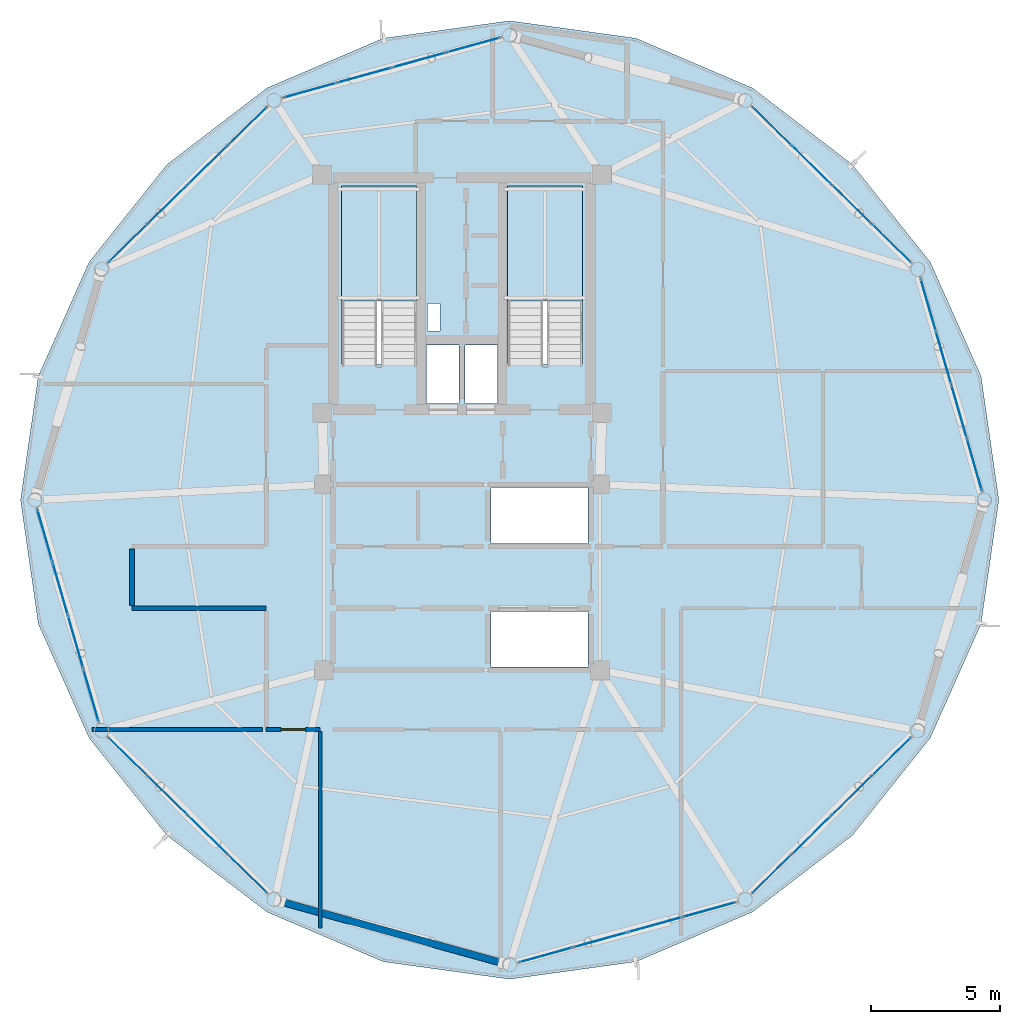
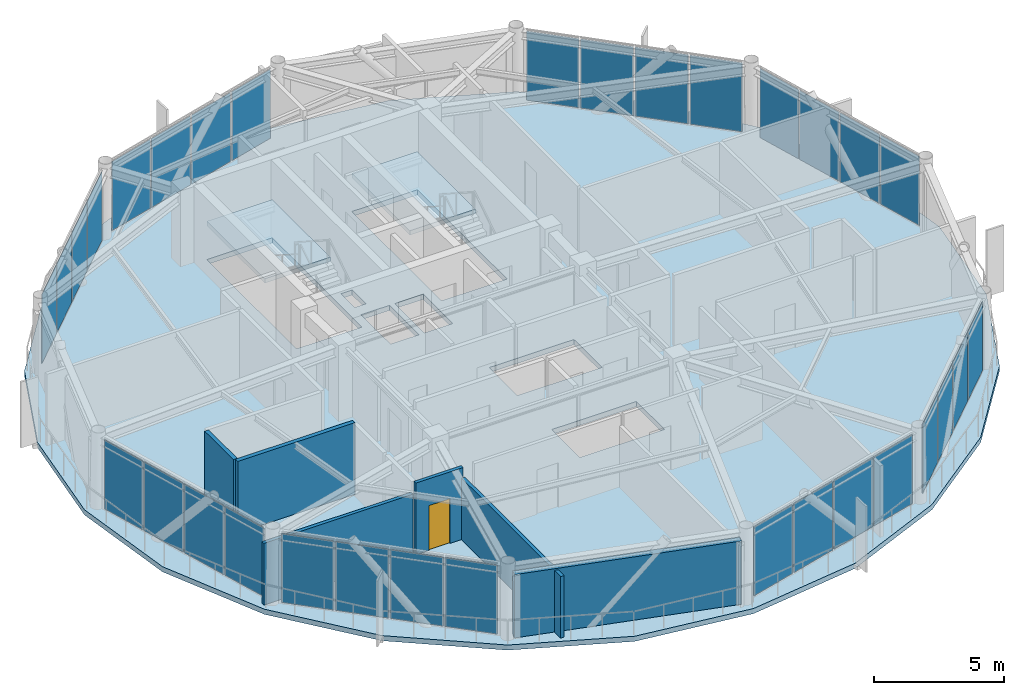
# One storey, part 19 of 25: 32 plates, 6 walls, 3 slabs, 1 door, 1 opening, 10 elements without a shape of their own.
"""IFC4 building model written with IfcOpenShell, lengths in metres."""

import ifcopenshell
import ifcopenshell.guid

model = None  # the IFC model being written
_history = None  # IfcOwnerHistory: only IFC2X3 demands one
_inside = {}  # id of a spatial element -> (the spatial element, [elements in it])
_under = {}  # id of a project, library or spatial element -> (it, [spatial elements below it])
_declared = {}  # id of a project -> (the project, [libraries it declares])
_typed = {}  # id of a type object -> (the type object, [elements of that type])
_made_of = {}  # id of a material, layer set ... -> (it, [elements and type objects made of it])


def new_model(schema):
    """Start an empty IFC model of exactly this schema.

    Asked for "IFC4X3", IfcOpenShell would pick the latest addendum, in which some entities
    have other attributes; the version numbers below select the first issue.
    IFC2X3 requires an IfcOwnerHistory on every rooted entity: one is made here for all.
    """
    global model, _history
    if schema == "IFC4X3":
        model = ifcopenshell.file(schema_version=(4, 3, 0, 0))
    else:
        model = ifcopenshell.file(schema=schema)
    _inside.clear()
    _under.clear()
    _declared.clear()
    _typed.clear()
    _made_of.clear()
    _history = None
    if model.schema == "IFC2X3":
        org = make("IfcOrganization", Name="unknown")
        user = make(
            "IfcPersonAndOrganization",
            ThePerson=make("IfcPerson", FamilyName="unknown"),
            TheOrganization=org,
        )
        app = make(
            "IfcApplication",
            ApplicationDeveloper=org,
            Version="unknown",
            ApplicationFullName="unknown",
            ApplicationIdentifier="unknown",
        )
        _history = make(
            "IfcOwnerHistory",
            OwningUser=user,
            OwningApplication=app,
            ChangeAction="ADDED",
            CreationDate=0,
        )
    return model


def make(cls, **values):
    """One entity of the class cls with the attributes given. An attribute that is None is left unset."""
    return model.create_entity(
        cls, **{name: value for name, value in values.items() if value is not None}
    )


def rooted(cls, **values):
    """An entity with a GlobalId (a new one), such as an element, a storey or a relation."""
    return make(cls, GlobalId=ifcopenshell.guid.new(), OwnerHistory=_history, **values)


def si_unit(unit_type, name, prefix=None):
    """IfcSIUnit, for example si_unit("LENGTHUNIT", "METRE", prefix="MILLI")."""
    return make("IfcSIUnit", UnitType=unit_type, Prefix=prefix, Name=name)


def assignment(units):
    """IfcUnitAssignment: the units of a project."""
    return None if units is None else make("IfcUnitAssignment", Units=units)


def point(xyz):
    """IfcCartesianPoint."""
    return None if xyz is None else make("IfcCartesianPoint", Coordinates=xyz)


def direction(xyz):
    """IfcDirection."""
    return None if xyz is None else make("IfcDirection", DirectionRatios=xyz)


def frame(location, z_axis=None, x_axis=None):
    """IfcAxis2Placement3D, a coordinate frame: its origin and axes. An axis left out is left unset."""
    return make(
        "IfcAxis2Placement3D",
        Location=point(location),
        Axis=direction(z_axis),
        RefDirection=direction(x_axis),
    )


def frame_2d(location, x_axis=None):
    """IfcAxis2Placement2D, a coordinate frame in the plane: its origin and x axis."""
    return make(
        "IfcAxis2Placement2D", Location=point(location), RefDirection=direction(x_axis)
    )


def origin():
    """The frame at (0, 0, 0) with its axes left unset."""
    return frame((0.0, 0.0, 0.0))


def origin_2d():
    """The frame at (0, 0) in the plane with its x axis left unset."""
    return frame_2d((0.0, 0.0))


def place(relative_to, where):
    """IfcLocalPlacement: puts the frame where relative to a parent placement (None: the world)."""
    return make(
        "IfcLocalPlacement", PlacementRelTo=relative_to, RelativePlacement=where
    )


def context(
    kind, dimensions, precision=None, world=None, true_north=None, identifier=None
):
    """IfcGeometricRepresentationContext, for example the 3D "Model" context."""
    return make(
        "IfcGeometricRepresentationContext",
        ContextIdentifier=identifier,
        ContextType=kind,
        CoordinateSpaceDimension=dimensions,
        Precision=precision,
        WorldCoordinateSystem=world,
        TrueNorth=true_north,
    )


def subcontext(parent, identifier, kind, view, scale=None):
    """IfcGeometricRepresentationSubContext, for example "Body" below "Model"."""
    return make(
        "IfcGeometricRepresentationSubContext",
        ContextIdentifier=identifier,
        ContextType=kind,
        ParentContext=parent,
        TargetScale=scale,
        TargetView=view,
    )


def project(units=None, contexts=None):
    """IfcProject with its units and contexts."""
    return rooted(
        "IfcProject",
        Name="project",
        RepresentationContexts=contexts,
        UnitsInContext=assignment(units),
    )


def spatial(cls, under=None, at=None, **own):
    """A site, building, storey or space (cls), placed at a placement, below another one or the project."""
    s = rooted(cls, ObjectPlacement=at, **own)
    if under is not None:
        _under.setdefault(under.id(), (under, []))[1].append(s)
    return s


def polyline(points):
    """IfcPolyline through the points."""
    return make("IfcPolyline", Points=[point(p) for p in points])


def profile(cls, at=None, kind="AREA", **sizes):
    """A parametric profile (cls). Its sizes go by their IFC names, for example OverallWidth=200.0."""
    return make(cls, ProfileType=kind, Position=at, **sizes)


def rectangle(**sizes):
    """IfcRectangleProfileDef."""
    return profile("IfcRectangleProfileDef", **sizes)


def outline(outer, holes=None, kind="AREA"):
    """IfcArbitraryClosedProfileDef: a profile drawn as a closed curve; with holes, ...WithVoids."""
    if holes is None:
        return make("IfcArbitraryClosedProfileDef", ProfileType=kind, OuterCurve=outer)
    return make(
        "IfcArbitraryProfileDefWithVoids",
        ProfileType=kind,
        OuterCurve=outer,
        InnerCurves=holes,
    )


def extrude(swept, where, along, depth):
    """IfcExtrudedAreaSolid: the profile swept, set in the frame where, extruded along a direction by depth."""
    return make(
        "IfcExtrudedAreaSolid",
        SweptArea=swept,
        Position=where,
        ExtrudedDirection=direction(along),
        Depth=depth,
    )


def shape(context_of_items, identifier, shape_type, items):
    """IfcShapeRepresentation: the items that make up one representation, for example the "Body"."""
    return make(
        "IfcShapeRepresentation",
        ContextOfItems=context_of_items,
        RepresentationIdentifier=identifier,
        RepresentationType=shape_type,
        Items=items,
    )


def source(mapping_origin, context_of_items, identifier, shape_type, items):
    """IfcRepresentationMap: a shape defined once, which mapped items show again and again."""
    return make(
        "IfcRepresentationMap",
        MappingOrigin=mapping_origin,
        MappedRepresentation=shape(context_of_items, identifier, shape_type, items),
    )


def transform(
    local_origin,
    x_axis=None,
    y_axis=None,
    z_axis=None,
    scale=None,
    scale2=None,
    scale3=None,
    uniform=True,
):
    """IfcCartesianTransformationOperator3D, or its non-uniform kind. x_axis, y_axis, z_axis: its Axis1, 2, 3."""
    if uniform:
        return make(
            "IfcCartesianTransformationOperator3D",
            Axis1=direction(x_axis),
            Axis2=direction(y_axis),
            LocalOrigin=point(local_origin),
            Scale=scale,
            Axis3=direction(z_axis),
        )
    return make(
        "IfcCartesianTransformationOperator3DnonUniform",
        Axis1=direction(x_axis),
        Axis2=direction(y_axis),
        LocalOrigin=point(local_origin),
        Scale=scale,
        Axis3=direction(z_axis),
        Scale2=scale2,
        Scale3=scale3,
    )


def mapped(mapping_source, mapping_target):
    """IfcMappedItem: shows the shape of a source again, moved by a transform."""
    return make(
        "IfcMappedItem", MappingSource=mapping_source, MappingTarget=mapping_target
    )


def material(Name=None, Category=None):
    """IfcMaterial."""
    return make("IfcMaterial", Name=Name, Category=Category)


def layer(
    of_material, thickness, ventilated=None, Name=None, Category=None, Priority=None
):
    """IfcMaterialLayer: one layer of a wall or slab, of a material (None: an air gap)."""
    return make(
        "IfcMaterialLayer",
        Material=of_material,
        LayerThickness=thickness,
        IsVentilated=ventilated,
        Name=Name,
        Category=Category,
        Priority=Priority,
    )


def layer_set(layers, Name=None):
    """IfcMaterialLayerSet."""
    return make("IfcMaterialLayerSet", MaterialLayers=layers, LayerSetName=Name)


def made_of(thing, what):
    """Note that an element or type object is made of a material, layer set ...; save() writes the relation."""
    if what is not None:
        _made_of.setdefault(what.id(), (what, []))[1].append(thing)
    return thing


def type_object(cls, material=None, **own):
    """A type object (cls), such as IfcWallType, which elements share."""
    return made_of(rooted(cls, **own), material)


def type_shapes(of_type, sources):
    """Give a type object the sources (RepresentationMaps) that its elements show as mapped items."""
    of_type.RepresentationMaps = sources


def element(
    cls,
    number,
    at=None,
    inside=None,
    cuts=None,
    type_object=None,
    material=None,
    context=None,
    identifier="Body",
    shape_type=None,
    held_by="IfcProductDefinitionShape",
    body=None,
    shapes=None,
    **own,
):
    """One element of the class cls, such as IfcWall. Its Tag is "e" and its number.

    at: its placement. inside: the storey or other place that contains it. cuts: it is an
    opening in that element (IfcRelVoidsElement). A single representation is given by context,
    identifier, shape_type and body (its items); several are given by shapes. held_by: the class
    of the entity that holds the representations. save() writes the other relations.
    """
    e = rooted(cls, Tag="e%d" % number, ObjectPlacement=at, **own)
    if body is not None:
        shapes = [shape(context, identifier, shape_type, body)]
    if shapes is not None:
        e.Representation = make(held_by, Representations=shapes)
    if inside is not None:
        _inside.setdefault(inside.id(), (inside, []))[1].append(e)
    if cuts is not None:
        rooted(
            "IfcRelVoidsElement", RelatingBuildingElement=cuts, RelatedOpeningElement=e
        )
    if type_object is not None:
        _typed.setdefault(type_object.id(), (type_object, []))[1].append(e)
    return made_of(e, material)


def fill(opening, filler):
    """IfcRelFillsElement: the door or window that sits in an opening."""
    return rooted(
        "IfcRelFillsElement",
        RelatingOpeningElement=opening,
        RelatedBuildingElement=filler,
    )


def aggregate(whole, parts):
    """IfcRelAggregates: a whole, such as a stair, and the parts it consists of."""
    return rooted("IfcRelAggregates", RelatingObject=whole, RelatedObjects=parts)


def save(model, path):
    """Write the relations noted so far, then the file.

    IfcRelAggregates (storeys below a building ...), IfcRelContainedInSpatialStructure (elements
    in a storey), IfcRelDefinesByType, IfcRelAssociatesMaterial and IfcRelDeclares: one each for
    every whole, place, type object, material and project.
    """
    for whole, parts in _under.values():
        aggregate(whole, parts)
    for where, things in _inside.values():
        rooted(
            "IfcRelContainedInSpatialStructure",
            RelatedElements=things,
            RelatingStructure=where,
        )
    for kind, things in _typed.values():
        rooted("IfcRelDefinesByType", RelatedObjects=things, RelatingType=kind)
    for what, things in _made_of.values():
        rooted("IfcRelAssociatesMaterial", RelatedObjects=things, RelatingMaterial=what)
    for by, libraries in _declared.values():
        rooted("IfcRelDeclares", RelatingContext=by, RelatedDefinitions=libraries)
    model.write(path)


model = new_model("IFC4")

# Units and contexts
model_context = context("Model", 3, precision=1e-05, world=origin(), true_north=direction((0.0, 1.0)))
body_context = subcontext(model_context, "Body", "Model", "MODEL_VIEW")
ifc_project = project(units=[si_unit("LENGTHUNIT", "METRE"), si_unit("AREAUNIT", "SQUARE_METRE"), si_unit("VOLUMEUNIT", "CUBIC_METRE"), si_unit("PLANEANGLEUNIT", "RADIAN"), si_unit("MASSUNIT", "GRAM", prefix="KILO")], contexts=[model_context])

# Site, building, storey
site_placement = place(None, origin())
site = spatial("IfcSite", under=ifc_project, at=site_placement, CompositionType="ELEMENT")
building_placement = place(site_placement, origin())
building = spatial("IfcBuilding", under=site, at=building_placement, Name="Varnakorn Sky Granary", CompositionType="ELEMENT")
storey_placement = place(building_placement, frame((0.0, 0.0, 252.60009765625)))
storey = spatial("IfcBuildingStorey", under=building, at=storey_placement, Name="L64", CompositionType="ELEMENT", Elevation=252.60009765625)

# Stair, slab
ifc_material_1 = material(Name="Concrete C40/50", Category="concrete")
stair_type = type_object("IfcStairType", Name="ST-MAIN-ASSEMBLY", PredefinedType="HALF_TURN_STAIR", material=ifc_material_1)
stair_1_placement = place(storey_placement, origin())
stair_1 = element("IfcStair", 1, at=stair_1_placement, inside=storey, type_object=stair_type, Name="L64 Protected Exit Stair ST-1", PredefinedType="HALF_TURN_STAIR")
ifc_layer_1 = layer(ifc_material_1, 0.199951171875, Name="Concrete C40/50")
ifc_layer_set_1 = layer_set([ifc_layer_1], Name="Concrete C40/50")
slab_type_1 = type_object("IfcSlabType", Name="ST-MAIN-LAND", PredefinedType="LANDING", material=ifc_layer_set_1)
slab_1_placement = place(storey_placement, frame((0.0, 0.0, 1.599853515625)))
slab_1 = element("IfcSlab", 2, at=slab_1_placement, type_object=slab_type_1, Name="ST-1 landing 1", PredefinedType="LANDING", context=body_context, shape_type="SweptSolid", body=[
    extrude(outline(polyline([(1.239990234375, 7.719970703125), (1.239990234375, 12.179931640625), (-1.669921875, 12.179931640625), (-1.669921875, 7.719970703125), (1.239990234375, 7.719970703125)])), origin(), (0.0, 0.0, 1.0), 0.199951171875),
])
aggregate(stair_1, [slab_1])

stair_2_placement = place(storey_placement, origin())
stair_2 = element("IfcStair", 3, at=stair_2_placement, inside=storey, type_object=stair_type, Name="L64 Protected Exit Stair ST-2", PredefinedType="HALF_TURN_STAIR")
slab_2_placement = place(storey_placement, frame((0.0, 0.0, 1.599853515625)))
slab_2 = element("IfcSlab", 4, at=slab_2_placement, type_object=slab_type_1, Name="ST-2 landing 1", PredefinedType="LANDING", context=body_context, shape_type="SweptSolid", body=[
    extrude(outline(polyline([(7.679931640625, 7.719970703125), (7.679931640625, 12.179931640625), (4.77001953125, 12.179931640625), (4.77001953125, 7.719970703125), (7.679931640625, 7.719970703125)])), origin(), (0.0, 0.0, 1.0), 0.199951171875),
])
aggregate(stair_2, [slab_2])

# Slab
ifc_material_2 = material(Name="Concrete C50/60", Category="concrete")
ifc_layer_2 = layer(ifc_material_2, 0.239990234375, Name="Concrete C50/60")
ifc_layer_set_2 = layer_set([ifc_layer_2], Name="Concrete C50/60")
slab_type_2 = type_object("IfcSlabType", Name="ST-SL-TWR-240", PredefinedType="FLOOR", material=ifc_layer_set_2)
slab_3_placement = place(storey_placement, frame((0.0, 0.0, -0.239990234375)))
element("IfcSlab", 5, at=slab_3_placement, inside=storey, type_object=slab_type_2, Name="Level L64 Structural Floor Slab", PredefinedType="FLOOR", context=body_context, shape_type="SweptSolid", body=[
    extrude(outline(polyline([(23.826904296875, 0.0), (23.136962890625, 4.799560546875), (21.167724609375, 9.22705078125), (18.1416015625, 13.01708984375), (14.27099609375, 15.981689453125), (9.75, 17.912109375), (4.85009765625, 18.589111328125), (-0.050048828125, 17.912109375), (-4.571044921875, 15.981689453125), (-8.44140625, 13.01708984375), (-11.4677734375, 9.22705078125), (-13.43701171875, 4.799560546875), (-14.126953125, 0.0), (-13.43701171875, -4.799560546875), (-11.4677734375, -9.22705078125), (-8.44140625, -13.01708984375), (-4.571044921875, -15.981689453125), (-0.050048828125, -17.912109375), (4.85009765625, -18.589111328125), (9.75, -17.912109375), (14.27099609375, -15.981689453125), (18.1416015625, -13.01708984375), (21.167724609375, -9.22705078125), (23.136962890625, -4.799560546875), (23.826904296875, 0.0)]), holes=[polyline([(1.239990234375, 5.27490234375), (1.239990234375, 12.179931640625), (-1.669921875, 12.179931640625), (-1.669921875, 5.27490234375), (1.239990234375, 5.27490234375)]), polyline([(7.679931640625, 5.27490234375), (7.679931640625, 12.179931640625), (4.77001953125, 12.179931640625), (4.77001953125, 5.27490234375), (7.679931640625, 5.27490234375)]), polyline([(1.659912109375, 6.550048828125), (2.14990234375, 6.550048828125), (2.14990234375, 7.6201171875), (1.659912109375, 7.6201171875), (1.659912109375, 6.550048828125)]), polyline([(1.6201171875, 3.739990234375), (2.8798828125, 3.739990234375), (2.8798828125, 6.010009765625), (1.6201171875, 6.010009765625), (1.6201171875, 3.739990234375)]), polyline([(3.1201171875, 3.739990234375), (4.3798828125, 3.739990234375), (4.3798828125, 6.010009765625), (3.1201171875, 6.010009765625), (3.1201171875, 3.739990234375)]), polyline([(4.1201171875, -1.679931640625), (7.8798828125, -1.679931640625), (7.8798828125, 0.47998046875), (4.1201171875, 0.47998046875), (4.1201171875, -1.679931640625)]), polyline([(4.1201171875, -6.47998046875), (7.8798828125, -6.47998046875), (7.8798828125, -4.320068359375), (4.1201171875, -4.320068359375), (4.1201171875, -6.47998046875)])]), origin(), (0.0, 0.0, 1.0), 0.239990234375),
])

# Curtain wall, plates
ifc_material_3 = material(Name="Anodised Bronze Aluminium Alloy 6063-T6", Category="aluminium")
ifc_layer_3 = layer(ifc_material_3, 0.159912109375, Name="Anodised Bronze Aluminium Alloy 6063-T6")
ifc_layer_set_3 = layer_set([ifc_layer_3], Name="Anodised Bronze Aluminium Alloy 6063-T6")
curtain_wall_type = type_object("IfcCurtainWallType", Name="CW-OFF-1", PredefinedType="USERDEFINED", material=ifc_layer_set_3)
curtain_wall_1_placement = place(storey_placement, origin())
curtain_wall_1 = element("IfcCurtainWall", 6, at=curtain_wall_1_placement, inside=storey, type_object=curtain_wall_type, Name="Unitised Curtain Wall CW6 CW-L64-B01", ObjectType="CURTAIN WALL", PredefinedType="USERDEFINED")
ifc_material_4 = material(Name="Low-E Tinted Laminated Glass", Category="glass")
ifc_layer_4 = layer(ifc_material_4, 0.02392578125, Name="Low-E Tinted Laminated Glass")
ifc_layer_set_4 = layer_set([ifc_layer_4], Name="Low-E Tinted Laminated Glass")
plate_type = type_object("IfcPlateType", Name="CW-OFF-1-PNL", PredefinedType="CURTAIN_PANEL")
shared_shape_1 = source(origin(), body_context, "Body", "SweptSolid", [
    extrude(rectangle(XDim=2.062255859375, YDim=0.02392578125, at=origin_2d()), origin(), (0.0, 0.0, 1.0), 3.22998046875),
])
plate_1_placement = place(storey_placement, frame((21.089599609375, 7.57275390625, 0.06494140625), z_axis=(0.0, 0.0, 1.0), x_axis=(0.277500953082, -0.960725361921, 0.0)))
plate_1 = element("IfcPlate", 7, at=plate_1_placement, type_object=plate_type, material=ifc_layer_set_4, Name="CW6 vision glazing unit 1.1", PredefinedType="CURTAIN_PANEL", context=body_context, shape_type="MappedRepresentation", body=[
    mapped(shared_shape_1, transform((0.0, 0.0, 0.0), x_axis=(1.0, 0.0, 0.0), y_axis=(0.0, 1.0, 0.0), z_axis=(0.0, 0.0, 1.0), scale=1.0)),
])
plate_2_placement = place(storey_placement, frame((22.878662109375, 1.379150390625, 0.06494140625), z_axis=(0.0, 0.0, 1.0), x_axis=(0.277500953082, -0.960725361921, 0.0)))
plate_2 = element("IfcPlate", 8, at=plate_2_placement, type_object=plate_type, material=ifc_layer_set_4, Name="CW6 vision glazing unit 4.1", PredefinedType="CURTAIN_PANEL", context=body_context, shape_type="MappedRepresentation", body=[
    mapped(shared_shape_1, transform((0.0, 0.0, 0.0), x_axis=(1.0, 0.0, 0.0), y_axis=(0.0, 1.0, 0.0), z_axis=(0.0, 0.0, 1.0), scale=1.0)),
])

curtain_wall_2_placement = place(storey_placement, origin())
curtain_wall_2 = element("IfcCurtainWall", 9, at=curtain_wall_2_placement, inside=storey, type_object=curtain_wall_type, Name="Unitised Curtain Wall CW6 CW-L64-B07", ObjectType="CURTAIN WALL", PredefinedType="USERDEFINED")
plate_3_placement = place(storey_placement, frame((-11.3896484375, -7.57275390625, 0.06494140625), z_axis=(0.0, 0.0, 1.0), x_axis=(-0.277500953082, 0.960725361921, 0.0)))
plate_3 = element("IfcPlate", 10, at=plate_3_placement, type_object=plate_type, material=ifc_layer_set_4, Name="CW6 vision glazing unit 1.1", PredefinedType="CURTAIN_PANEL", context=body_context, shape_type="MappedRepresentation", body=[
    mapped(shared_shape_1, transform((0.0, 0.0, 0.0), x_axis=(1.0, 0.0, 0.0), y_axis=(0.0, 1.0, 0.0), z_axis=(0.0, 0.0, 1.0), scale=1.0)),
])
plate_4_placement = place(storey_placement, frame((-13.1787109375, -1.379150390625, 0.06494140625), z_axis=(0.0, 0.0, 1.0), x_axis=(-0.277500953082, 0.960725361921, 0.0)))
plate_4 = element("IfcPlate", 11, at=plate_4_placement, type_object=plate_type, material=ifc_layer_set_4, Name="CW6 vision glazing unit 4.1", PredefinedType="CURTAIN_PANEL", context=body_context, shape_type="MappedRepresentation", body=[
    mapped(shared_shape_1, transform((0.0, 0.0, 0.0), x_axis=(1.0, 0.0, 0.0), y_axis=(0.0, 1.0, 0.0), z_axis=(0.0, 0.0, 1.0), scale=1.0)),
])

# Plate
ifc_material_5 = material(Name="Opaque Insulated Aluminium Shadow-Box Unit", Category="aluminium")
ifc_layer_5 = layer(ifc_material_5, 0.02392578125, Name="Opaque Insulated Aluminium Shadow-Box Unit")
ifc_layer_set_5 = layer_set([ifc_layer_5], Name="Opaque Insulated Aluminium Shadow-Box Unit")
shared_shape_2 = source(origin(), body_context, "Body", "SweptSolid", [
    extrude(rectangle(XDim=2.0947265625, YDim=0.02392578125, at=origin_2d()), origin(), (0.0, 0.0, 1.0), 3.22998046875),
])
plate_5_placement = place(storey_placement, frame((21.6845703125, 5.513427734375, 0.06494140625), z_axis=(0.0, 0.0, 1.0), x_axis=(0.277500953082, -0.960725361921, 0.0)))
plate_5 = element("IfcPlate", 12, at=plate_5_placement, type_object=plate_type, material=ifc_layer_set_5, Name="CW6 opaque insulated shadow-box unit 2.1", PredefinedType="CURTAIN_PANEL", context=body_context, shape_type="MappedRepresentation", body=[
    mapped(shared_shape_2, transform((0.0, 0.0, 0.0), x_axis=(1.0, 0.0, 0.0), y_axis=(0.0, 1.0, 0.0), z_axis=(0.0, 0.0, 1.0), scale=1.0)),
])

plate_6_placement = place(storey_placement, frame((22.28369140625, 3.4384765625, 0.06494140625), z_axis=(0.0, 0.0, 1.0), x_axis=(0.277500953082, -0.960725361921, 0.0)))
plate_6 = element("IfcPlate", 13, at=plate_6_placement, type_object=plate_type, material=ifc_layer_set_5, Name="CW6 opaque insulated shadow-box unit 3.1", PredefinedType="CURTAIN_PANEL", context=body_context, shape_type="MappedRepresentation", body=[
    mapped(shared_shape_2, transform((0.0, 0.0, 0.0), x_axis=(1.0, 0.0, 0.0), y_axis=(0.0, 1.0, 0.0), z_axis=(0.0, 0.0, 1.0), scale=1.0)),
])

aggregate(curtain_wall_1, [plate_1, plate_5, plate_6, plate_2])

plate_7_placement = place(storey_placement, frame((-11.984375, -5.513427734375, 0.06494140625), z_axis=(0.0, 0.0, 1.0), x_axis=(-0.277500953082, 0.960725361921, 0.0)))
plate_7 = element("IfcPlate", 14, at=plate_7_placement, type_object=plate_type, material=ifc_layer_set_5, Name="CW6 opaque insulated shadow-box unit 2.1", PredefinedType="CURTAIN_PANEL", context=body_context, shape_type="MappedRepresentation", body=[
    mapped(shared_shape_2, transform((0.0, 0.0, 0.0), x_axis=(1.0, 0.0, 0.0), y_axis=(0.0, 1.0, 0.0), z_axis=(0.0, 0.0, 1.0), scale=1.0)),
])

plate_8_placement = place(storey_placement, frame((-12.583740234375, -3.4384765625, 0.06494140625), z_axis=(0.0, 0.0, 1.0), x_axis=(-0.277500953082, 0.960725361921, 0.0)))
plate_8 = element("IfcPlate", 15, at=plate_8_placement, type_object=plate_type, material=ifc_layer_set_5, Name="CW6 opaque insulated shadow-box unit 3.1", PredefinedType="CURTAIN_PANEL", context=body_context, shape_type="MappedRepresentation", body=[
    mapped(shared_shape_2, transform((0.0, 0.0, 0.0), x_axis=(1.0, 0.0, 0.0), y_axis=(0.0, 1.0, 0.0), z_axis=(0.0, 0.0, 1.0), scale=1.0)),
])

aggregate(curtain_wall_2, [plate_3, plate_7, plate_8, plate_4])

# Curtain wall, plates
curtain_wall_3_placement = place(storey_placement, origin())
curtain_wall_3 = element("IfcCurtainWall", 16, at=curtain_wall_3_placement, inside=storey, type_object=curtain_wall_type, Name="Unitised Curtain Wall CW6 CW-L64-B02", ObjectType="CURTAIN WALL", PredefinedType="USERDEFINED")
shared_shape_3 = source(origin(), body_context, "Body", "SweptSolid", [
    extrude(rectangle(XDim=2.074951171875, YDim=0.02392578125, at=origin_2d()), origin(), (0.0, 0.0, 1.0), 3.22998046875),
])
plate_9_placement = place(storey_placement, frame((15.0263671875, 14.49658203125, 0.06494140625), z_axis=(0.0, 0.0, 1.0), x_axis=(0.71464979439, -0.699482431072, 0.0)))
plate_9 = element("IfcPlate", 17, at=plate_9_placement, type_object=plate_type, material=ifc_layer_set_4, Name="CW6 vision glazing unit 1.1", PredefinedType="CURTAIN_PANEL", context=body_context, shape_type="MappedRepresentation", body=[
    mapped(shared_shape_3, transform((0.0, 0.0, 0.0), x_axis=(1.0, 0.0, 0.0), y_axis=(0.0, 1.0, 0.0), z_axis=(0.0, 0.0, 1.0), scale=1.0)),
])
plate_10_placement = place(storey_placement, frame((19.660888671875, 9.960693359375, 0.06494140625), z_axis=(0.0, 0.0, 1.0), x_axis=(0.71464979439, -0.699482431072, 0.0)))
plate_10 = element("IfcPlate", 18, at=plate_10_placement, type_object=plate_type, material=ifc_layer_set_4, Name="CW6 vision glazing unit 4.1", PredefinedType="CURTAIN_PANEL", context=body_context, shape_type="MappedRepresentation", body=[
    mapped(shared_shape_3, transform((0.0, 0.0, 0.0), x_axis=(1.0, 0.0, 0.0), y_axis=(0.0, 1.0, 0.0), z_axis=(0.0, 0.0, 1.0), scale=1.0)),
])

curtain_wall_4_placement = place(storey_placement, origin())
curtain_wall_4 = element("IfcCurtainWall", 19, at=curtain_wall_4_placement, inside=storey, type_object=curtain_wall_type, Name="Unitised Curtain Wall CW6 CW-L64-B05", ObjectType="CURTAIN WALL", PredefinedType="USERDEFINED")
plate_11_placement = place(storey_placement, frame((-9.9609375, 9.960693359375, 0.06494140625), z_axis=(0.0, 0.0, 1.0), x_axis=(0.71464979439, 0.699482431072, 0.0)))
plate_11 = element("IfcPlate", 20, at=plate_11_placement, type_object=plate_type, material=ifc_layer_set_4, Name="CW6 vision glazing unit 1.1", PredefinedType="CURTAIN_PANEL", context=body_context, shape_type="MappedRepresentation", body=[
    mapped(shared_shape_3, transform((0.0, 0.0, 0.0), x_axis=(1.0, 0.0, 0.0), y_axis=(0.0, 1.0, 0.0), z_axis=(0.0, 0.0, 1.0), scale=1.0)),
])
plate_12_placement = place(storey_placement, frame((-5.326416015625, 14.49658203125, 0.06494140625), z_axis=(0.0, 0.0, 1.0), x_axis=(0.71464979439, 0.699482431072, 0.0)))
plate_12 = element("IfcPlate", 21, at=plate_12_placement, type_object=plate_type, material=ifc_layer_set_4, Name="CW6 vision glazing unit 4.1", PredefinedType="CURTAIN_PANEL", context=body_context, shape_type="MappedRepresentation", body=[
    mapped(shared_shape_3, transform((0.0, 0.0, 0.0), x_axis=(1.0, 0.0, 0.0), y_axis=(0.0, 1.0, 0.0), z_axis=(0.0, 0.0, 1.0), scale=1.0)),
])

curtain_wall_5_placement = place(storey_placement, origin())
curtain_wall_5 = element("IfcCurtainWall", 22, at=curtain_wall_5_placement, inside=storey, type_object=curtain_wall_type, Name="Unitised Curtain Wall CW6 CW-L64-B08", ObjectType="CURTAIN WALL", PredefinedType="USERDEFINED")
plate_13_placement = place(storey_placement, frame((-5.326416015625, -14.49658203125, 0.06494140625), z_axis=(0.0, 0.0, 1.0), x_axis=(-0.71464979439, 0.699482431072, 0.0)))
plate_13 = element("IfcPlate", 23, at=plate_13_placement, type_object=plate_type, material=ifc_layer_set_4, Name="CW6 vision glazing unit 1.1", PredefinedType="CURTAIN_PANEL", context=body_context, shape_type="MappedRepresentation", body=[
    mapped(shared_shape_3, transform((0.0, 0.0, 0.0), x_axis=(1.0, 0.0, 0.0), y_axis=(0.0, 1.0, 0.0), z_axis=(0.0, 0.0, 1.0), scale=1.0)),
])
plate_14_placement = place(storey_placement, frame((-9.9609375, -9.960693359375, 0.06494140625), z_axis=(0.0, 0.0, 1.0), x_axis=(-0.71464979439, 0.699482431072, 0.0)))
plate_14 = element("IfcPlate", 24, at=plate_14_placement, type_object=plate_type, material=ifc_layer_set_4, Name="CW6 vision glazing unit 4.1", PredefinedType="CURTAIN_PANEL", context=body_context, shape_type="MappedRepresentation", body=[
    mapped(shared_shape_3, transform((0.0, 0.0, 0.0), x_axis=(1.0, 0.0, 0.0), y_axis=(0.0, 1.0, 0.0), z_axis=(0.0, 0.0, 1.0), scale=1.0)),
])

curtain_wall_6_placement = place(storey_placement, origin())
curtain_wall_6 = element("IfcCurtainWall", 25, at=curtain_wall_6_placement, inside=storey, type_object=curtain_wall_type, Name="Unitised Curtain Wall CW6 CW-L64-B11", ObjectType="CURTAIN WALL", PredefinedType="USERDEFINED")
plate_15_placement = place(storey_placement, frame((19.660888671875, -9.960693359375, 0.06494140625), z_axis=(0.0, 0.0, 1.0), x_axis=(-0.71464979439, -0.699482431072, 0.0)))
plate_15 = element("IfcPlate", 26, at=plate_15_placement, type_object=plate_type, material=ifc_layer_set_4, Name="CW6 vision glazing unit 1.1", PredefinedType="CURTAIN_PANEL", context=body_context, shape_type="MappedRepresentation", body=[
    mapped(shared_shape_3, transform((0.0, 0.0, 0.0), x_axis=(1.0, 0.0, 0.0), y_axis=(0.0, 1.0, 0.0), z_axis=(0.0, 0.0, 1.0), scale=1.0)),
])
plate_16_placement = place(storey_placement, frame((15.0263671875, -14.49658203125, 0.06494140625), z_axis=(0.0, 0.0, 1.0), x_axis=(-0.71464979439, -0.699482431072, 0.0)))
plate_16 = element("IfcPlate", 27, at=plate_16_placement, type_object=plate_type, material=ifc_layer_set_4, Name="CW6 vision glazing unit 4.1", PredefinedType="CURTAIN_PANEL", context=body_context, shape_type="MappedRepresentation", body=[
    mapped(shared_shape_3, transform((0.0, 0.0, 0.0), x_axis=(1.0, 0.0, 0.0), y_axis=(0.0, 1.0, 0.0), z_axis=(0.0, 0.0, 1.0), scale=1.0)),
])

# Plate
shared_shape_4 = source(origin(), body_context, "Body", "SweptSolid", [
    extrude(rectangle(XDim=2.107421875, YDim=0.02392578125, at=origin_2d()), origin(), (0.0, 0.0, 1.0), 3.22998046875),
])
plate_17_placement = place(storey_placement, frame((16.5673828125, 12.988525390625, 0.06494140625), z_axis=(0.0, 0.0, 1.0), x_axis=(0.71464979439, -0.699482431072, 0.0)))
plate_17 = element("IfcPlate", 28, at=plate_17_placement, type_object=plate_type, material=ifc_layer_set_5, Name="CW6 opaque insulated shadow-box unit 2.1", PredefinedType="CURTAIN_PANEL", context=body_context, shape_type="MappedRepresentation", body=[
    mapped(shared_shape_4, transform((0.0, 0.0, 0.0), x_axis=(1.0, 0.0, 0.0), y_axis=(0.0, 1.0, 0.0), z_axis=(0.0, 0.0, 1.0), scale=1.0)),
])

plate_18_placement = place(storey_placement, frame((18.119873046875, 11.46875, 0.06494140625), z_axis=(0.0, 0.0, 1.0), x_axis=(0.71464979439, -0.699482431072, 0.0)))
plate_18 = element("IfcPlate", 29, at=plate_18_placement, type_object=plate_type, material=ifc_layer_set_5, Name="CW6 opaque insulated shadow-box unit 3.1", PredefinedType="CURTAIN_PANEL", context=body_context, shape_type="MappedRepresentation", body=[
    mapped(shared_shape_4, transform((0.0, 0.0, 0.0), x_axis=(1.0, 0.0, 0.0), y_axis=(0.0, 1.0, 0.0), z_axis=(0.0, 0.0, 1.0), scale=1.0)),
])

aggregate(curtain_wall_3, [plate_9, plate_17, plate_18, plate_10])

plate_19_placement = place(storey_placement, frame((-8.419921875, 11.46875, 0.06494140625), z_axis=(0.0, 0.0, 1.0), x_axis=(0.71464979439, 0.699482431072, 0.0)))
plate_19 = element("IfcPlate", 30, at=plate_19_placement, type_object=plate_type, material=ifc_layer_set_5, Name="CW6 opaque insulated shadow-box unit 2.1", PredefinedType="CURTAIN_PANEL", context=body_context, shape_type="MappedRepresentation", body=[
    mapped(shared_shape_4, transform((0.0, 0.0, 0.0), x_axis=(1.0, 0.0, 0.0), y_axis=(0.0, 1.0, 0.0), z_axis=(0.0, 0.0, 1.0), scale=1.0)),
])

plate_20_placement = place(storey_placement, frame((-6.867431640625, 12.988525390625, 0.06494140625), z_axis=(0.0, 0.0, 1.0), x_axis=(0.71464979439, 0.699482431072, 0.0)))
plate_20 = element("IfcPlate", 31, at=plate_20_placement, type_object=plate_type, material=ifc_layer_set_5, Name="CW6 opaque insulated shadow-box unit 3.1", PredefinedType="CURTAIN_PANEL", context=body_context, shape_type="MappedRepresentation", body=[
    mapped(shared_shape_4, transform((0.0, 0.0, 0.0), x_axis=(1.0, 0.0, 0.0), y_axis=(0.0, 1.0, 0.0), z_axis=(0.0, 0.0, 1.0), scale=1.0)),
])

aggregate(curtain_wall_4, [plate_11, plate_19, plate_20, plate_12])

plate_21_placement = place(storey_placement, frame((-6.867431640625, -12.988525390625, 0.06494140625), z_axis=(0.0, 0.0, 1.0), x_axis=(-0.71464979439, 0.699482431072, 0.0)))
plate_21 = element("IfcPlate", 32, at=plate_21_placement, type_object=plate_type, material=ifc_layer_set_5, Name="CW6 opaque insulated shadow-box unit 2.1", PredefinedType="CURTAIN_PANEL", context=body_context, shape_type="MappedRepresentation", body=[
    mapped(shared_shape_4, transform((0.0, 0.0, 0.0), x_axis=(1.0, 0.0, 0.0), y_axis=(0.0, 1.0, 0.0), z_axis=(0.0, 0.0, 1.0), scale=1.0)),
])

plate_22_placement = place(storey_placement, frame((-8.419921875, -11.46875, 0.06494140625), z_axis=(0.0, 0.0, 1.0), x_axis=(-0.71464979439, 0.699482431072, 0.0)))
plate_22 = element("IfcPlate", 33, at=plate_22_placement, type_object=plate_type, material=ifc_layer_set_5, Name="CW6 opaque insulated shadow-box unit 3.1", PredefinedType="CURTAIN_PANEL", context=body_context, shape_type="MappedRepresentation", body=[
    mapped(shared_shape_4, transform((0.0, 0.0, 0.0), x_axis=(1.0, 0.0, 0.0), y_axis=(0.0, 1.0, 0.0), z_axis=(0.0, 0.0, 1.0), scale=1.0)),
])

aggregate(curtain_wall_5, [plate_13, plate_21, plate_22, plate_14])

plate_23_placement = place(storey_placement, frame((18.119873046875, -11.46875, 0.06494140625), z_axis=(0.0, 0.0, 1.0), x_axis=(-0.71464979439, -0.699482431072, 0.0)))
plate_23 = element("IfcPlate", 34, at=plate_23_placement, type_object=plate_type, material=ifc_layer_set_5, Name="CW6 opaque insulated shadow-box unit 2.1", PredefinedType="CURTAIN_PANEL", context=body_context, shape_type="MappedRepresentation", body=[
    mapped(shared_shape_4, transform((0.0, 0.0, 0.0), x_axis=(1.0, 0.0, 0.0), y_axis=(0.0, 1.0, 0.0), z_axis=(0.0, 0.0, 1.0), scale=1.0)),
])

plate_24_placement = place(storey_placement, frame((16.5673828125, -12.988525390625, 0.06494140625), z_axis=(0.0, 0.0, 1.0), x_axis=(-0.71464979439, -0.699482431072, 0.0)))
plate_24 = element("IfcPlate", 35, at=plate_24_placement, type_object=plate_type, material=ifc_layer_set_5, Name="CW6 opaque insulated shadow-box unit 3.1", PredefinedType="CURTAIN_PANEL", context=body_context, shape_type="MappedRepresentation", body=[
    mapped(shared_shape_4, transform((0.0, 0.0, 0.0), x_axis=(1.0, 0.0, 0.0), y_axis=(0.0, 1.0, 0.0), z_axis=(0.0, 0.0, 1.0), scale=1.0)),
])

aggregate(curtain_wall_6, [plate_15, plate_23, plate_24, plate_16])

# Curtain wall, plates
curtain_wall_7_placement = place(storey_placement, origin())
curtain_wall_7 = element("IfcCurtainWall", 36, at=curtain_wall_7_placement, inside=storey, type_object=curtain_wall_type, Name="Unitised Curtain Wall CW6 CW-L64-B04", ObjectType="CURTAIN WALL", PredefinedType="USERDEFINED")
shared_shape_5 = source(origin(), body_context, "Body", "SweptSolid", [
    extrude(rectangle(XDim=2.10546875, YDim=0.02392578125, at=origin_2d()), origin(), (0.0, 0.0, 1.0), 3.22998046875),
])
plate_25_placement = place(storey_placement, frame((-2.8916015625, 15.894287109375, 0.06494140625), z_axis=(0.0, 0.0, 1.0), x_axis=(0.963701410881, 0.266982378942, 0.0)))
plate_25 = element("IfcPlate", 37, at=plate_25_placement, type_object=plate_type, material=ifc_layer_set_4, Name="CW6 vision glazing unit 1.1", PredefinedType="CURTAIN_PANEL", context=body_context, shape_type="MappedRepresentation", body=[
    mapped(shared_shape_5, transform((0.0, 0.0, 0.0), x_axis=(1.0, 0.0, 0.0), y_axis=(0.0, 1.0, 0.0), z_axis=(0.0, 0.0, 1.0), scale=1.0)),
])
plate_26_placement = place(storey_placement, frame((3.44580078125, 17.64990234375, 0.06494140625), z_axis=(0.0, 0.0, 1.0), x_axis=(0.963701410881, 0.266982378942, 0.0)))
plate_26 = element("IfcPlate", 38, at=plate_26_placement, type_object=plate_type, material=ifc_layer_set_4, Name="CW6 vision glazing unit 4.1", PredefinedType="CURTAIN_PANEL", context=body_context, shape_type="MappedRepresentation", body=[
    mapped(shared_shape_5, transform((0.0, 0.0, 0.0), x_axis=(1.0, 0.0, 0.0), y_axis=(0.0, 1.0, 0.0), z_axis=(0.0, 0.0, 1.0), scale=1.0)),
])

curtain_wall_8_placement = place(storey_placement, origin())
curtain_wall_8 = element("IfcCurtainWall", 39, at=curtain_wall_8_placement, inside=storey, type_object=curtain_wall_type, Name="Unitised Curtain Wall CW6 CW-L64-B10", ObjectType="CURTAIN WALL", PredefinedType="USERDEFINED")
plate_27_placement = place(storey_placement, frame((12.591796875, -15.894287109375, 0.06494140625), z_axis=(0.0, 0.0, 1.0), x_axis=(-0.963701410881, -0.266982378942, 0.0)))
plate_27 = element("IfcPlate", 40, at=plate_27_placement, type_object=plate_type, material=ifc_layer_set_4, Name="CW6 vision glazing unit 1.1", PredefinedType="CURTAIN_PANEL", context=body_context, shape_type="MappedRepresentation", body=[
    mapped(shared_shape_5, transform((0.0, 0.0, 0.0), x_axis=(1.0, 0.0, 0.0), y_axis=(0.0, 1.0, 0.0), z_axis=(0.0, 0.0, 1.0), scale=1.0)),
])
plate_28_placement = place(storey_placement, frame((6.25439453125, -17.64990234375, 0.06494140625), z_axis=(0.0, 0.0, 1.0), x_axis=(-0.963701410881, -0.266982378942, 0.0)))
plate_28 = element("IfcPlate", 41, at=plate_28_placement, type_object=plate_type, material=ifc_layer_set_4, Name="CW6 vision glazing unit 4.1", PredefinedType="CURTAIN_PANEL", context=body_context, shape_type="MappedRepresentation", body=[
    mapped(shared_shape_5, transform((0.0, 0.0, 0.0), x_axis=(1.0, 0.0, 0.0), y_axis=(0.0, 1.0, 0.0), z_axis=(0.0, 0.0, 1.0), scale=1.0)),
])

# Plate
shared_shape_6 = source(origin(), body_context, "Body", "SweptSolid", [
    extrude(rectangle(XDim=2.137939453125, YDim=0.02392578125, at=origin_2d()), origin(), (0.0, 0.0, 1.0), 3.22998046875),
])
type_shapes(plate_type, [shared_shape_1, shared_shape_2, shared_shape_3, shared_shape_4, shared_shape_5, shared_shape_6])
plate_29_placement = place(storey_placement, frame((-0.784423828125, 16.47802734375, 0.06494140625), z_axis=(0.0, 0.0, 1.0), x_axis=(0.963701410881, 0.266982378942, 0.0)))
plate_29 = element("IfcPlate", 42, at=plate_29_placement, type_object=plate_type, material=ifc_layer_set_5, Name="CW6 opaque insulated shadow-box unit 2.1", PredefinedType="CURTAIN_PANEL", context=body_context, shape_type="MappedRepresentation", body=[
    mapped(shared_shape_6, transform((0.0, 0.0, 0.0), x_axis=(1.0, 0.0, 0.0), y_axis=(0.0, 1.0, 0.0), z_axis=(0.0, 0.0, 1.0), scale=1.0)),
])

plate_30_placement = place(storey_placement, frame((1.33837890625, 17.066162109375, 0.06494140625), z_axis=(0.0, 0.0, 1.0), x_axis=(0.963701410881, 0.266982378942, 0.0)))
plate_30 = element("IfcPlate", 43, at=plate_30_placement, type_object=plate_type, material=ifc_layer_set_5, Name="CW6 opaque insulated shadow-box unit 3.1", PredefinedType="CURTAIN_PANEL", context=body_context, shape_type="MappedRepresentation", body=[
    mapped(shared_shape_6, transform((0.0, 0.0, 0.0), x_axis=(1.0, 0.0, 0.0), y_axis=(0.0, 1.0, 0.0), z_axis=(0.0, 0.0, 1.0), scale=1.0)),
])

aggregate(curtain_wall_7, [plate_25, plate_29, plate_30, plate_26])

plate_31_placement = place(storey_placement, frame((10.484375, -16.47802734375, 0.06494140625), z_axis=(0.0, 0.0, 1.0), x_axis=(-0.963701410881, -0.266982378942, 0.0)))
plate_31 = element("IfcPlate", 44, at=plate_31_placement, type_object=plate_type, material=ifc_layer_set_5, Name="CW6 opaque insulated shadow-box unit 2.1", PredefinedType="CURTAIN_PANEL", context=body_context, shape_type="MappedRepresentation", body=[
    mapped(shared_shape_6, transform((0.0, 0.0, 0.0), x_axis=(1.0, 0.0, 0.0), y_axis=(0.0, 1.0, 0.0), z_axis=(0.0, 0.0, 1.0), scale=1.0)),
])

plate_32_placement = place(storey_placement, frame((8.361572265625, -17.066162109375, 0.06494140625), z_axis=(0.0, 0.0, 1.0), x_axis=(-0.963701410881, -0.266982378942, 0.0)))
plate_32 = element("IfcPlate", 45, at=plate_32_placement, type_object=plate_type, material=ifc_layer_set_5, Name="CW6 opaque insulated shadow-box unit 3.1", PredefinedType="CURTAIN_PANEL", context=body_context, shape_type="MappedRepresentation", body=[
    mapped(shared_shape_6, transform((0.0, 0.0, 0.0), x_axis=(1.0, 0.0, 0.0), y_axis=(0.0, 1.0, 0.0), z_axis=(0.0, 0.0, 1.0), scale=1.0)),
])

aggregate(curtain_wall_8, [plate_27, plate_31, plate_32, plate_28])

# Wall
ifc_material_6 = material(Name="Precast concrete C40/50", Category="concrete")
ifc_layer_6 = layer(ifc_material_6, 0.280029296875, Name="Precast concrete C40/50")
ifc_layer_set_6 = layer_set([ifc_layer_6], Name="Precast concrete C40/50")
wall_type_1 = type_object("IfcWallType", Name="WT-EW-CRN-280", PredefinedType="SOLIDWALL", material=ifc_layer_set_6)
wall_1_placement = place(storey_placement, frame((4.6240234375, -17.976318359375, 0.0), z_axis=(0.0, 0.0, 1.0), x_axis=(-0.963705710246, 0.266966859442, 0.0)))
element("IfcWall", 46, at=wall_1_placement, inside=storey, type_object=wall_type_1, Name="Agritech Insulated Precast Facade Wall L64-P09", PredefinedType="SOLIDWALL", context=body_context, shape_type="SweptSolid", body=[
    extrude(rectangle(XDim=9.021484375, YDim=0.280029296875, at=frame_2d((4.5107421875, 0.0))), origin(), (0.0, 0.0, 1.0), 2.969970703125),
])

# Wall, opening, door
ifc_material_7 = material(Name="Gypsum Plasterboard on Steel Stud", Category="steel")
ifc_layer_7 = layer(ifc_material_7, 0.14990234375, Name="Gypsum Plasterboard on Steel Stud")
ifc_layer_set_7 = layer_set([ifc_layer_7], Name="Gypsum Plasterboard on Steel Stud")
wall_type_2 = type_object("IfcWallType", Name="WT-PART-150", PredefinedType="PARTITIONING", material=ifc_layer_set_7)
wall_2_placement = place(storey_placement, frame((-4.60009765625, -8.89990234375, 0.0), z_axis=(0.0, 0.0, 1.0), x_axis=(1.0, 0.0, 0.0)))
wall_2 = element("IfcWall", 47, at=wall_2_placement, inside=storey, type_object=wall_type_2, Name="Interior Partition Wall L64-020", PredefinedType="PARTITIONING", context=body_context, shape_type="SweptSolid", body=[
    extrude(rectangle(XDim=2.10009765625, YDim=0.14990234375, at=frame_2d((1.050048828125, 0.0))), origin(), (0.0, 0.0, 1.0), 3.35986328125),
])
opening_placement = place(wall_2_placement, frame((0.574951171875, 0.0, 0.0)))
opening = element("IfcOpeningElement", 48, at=opening_placement, cuts=wall_2, Name="Opening ID-95", PredefinedType="OPENING", context=body_context, shape_type="SweptSolid", body=[
    extrude(rectangle(XDim=0.949951171875, YDim=2.10009765625, at=frame_2d((0.47509765625, 1.050048828125))), frame((0.0, 0.0849609375, 0.0), z_axis=(0.0, -1.0, 0.0), x_axis=(1.0, 0.0, 0.0)), (0.0, 0.0, 1.0), 0.169921875),
])
ifc_material_8 = material(Name="Solid-Core Teak Veneer Leaf", Category="timber")
door_type = type_object("IfcDoorType", Name="DR-INT-950", OperationType="NOTDEFINED", PredefinedType="DOOR", material=ifc_material_8)
door_placement = place(opening_placement, origin())
door = element("IfcDoor", 49, at=door_placement, inside=storey, type_object=door_type, Name="Interior Door L64-020-1", OperationType="SINGLE_SWING_LEFT", OverallHeight=2.10009765625, OverallWidth=0.949951171875, PredefinedType="DOOR", context=body_context, shape_type="SweptSolid", body=[
    extrude(rectangle(XDim=0.949951171875, YDim=2.10009765625, at=frame_2d((0.47509765625, 1.050048828125))), frame((0.0, 0.02490234375, 0.0), z_axis=(0.0, -1.0, 0.0), x_axis=(1.0, 0.0, 0.0)), (0.0, 0.0, 1.0), 0.050048828125),
])
fill(opening, door)

# Walls
wall_3_placement = place(storey_placement, frame((-2.5, -8.985107421875, 0.0), z_axis=(0.0, 0.0, 1.0), x_axis=(0.0, -1.0, 0.0)))
element("IfcWall", 50, at=wall_3_placement, inside=storey, type_object=wall_type_2, Name="Interior Partition Wall L64-037", PredefinedType="PARTITIONING", context=body_context, shape_type="SweptSolid", body=[
    extrude(rectangle(XDim=7.621826171875, YDim=0.14990234375, at=frame_2d((3.81103515625, 0.0))), origin(), (0.0, 0.0, 1.0), 2.891845703125),
])
wall_4_placement = place(storey_placement, frame((-11.35205078125, -8.89990234375, 0.0), z_axis=(0.0, 0.0, 1.0), x_axis=(1.0, 0.0, 0.0)))
element("IfcWall", 51, at=wall_4_placement, inside=storey, type_object=wall_type_2, Name="Interior Partition Wall L64-038", PredefinedType="PARTITIONING", context=body_context, shape_type="SweptSolid", body=[
    extrude(rectangle(XDim=6.616943359375, YDim=0.14990234375, at=frame_2d((3.30859375, 0.0))), origin(), (0.0, 0.0, 1.0), 2.891845703125),
])
ifc_material_9 = material(Name="Moisture-Resistant Gypsum on Stud", Category="gypsum")
ifc_layer_8 = layer(ifc_material_9, 0.179931640625, Name="Moisture-Resistant Gypsum on Stud")
ifc_layer_set_8 = layer_set([ifc_layer_8], Name="Moisture-Resistant Gypsum on Stud")
wall_type_3 = type_object("IfcWallType", Name="WT-PLUMB-180", PredefinedType="PLUMBINGWALL", material=ifc_layer_set_8)
wall_5_placement = place(storey_placement, frame((-9.800048828125, -4.199951171875, 0.0), z_axis=(0.0, 0.0, 1.0), x_axis=(1.0, 0.0, 0.0)))
element("IfcWall", 52, at=wall_5_placement, inside=storey, type_object=wall_type_3, Name="Interior Partition Wall L64-047", PredefinedType="PLUMBINGWALL", context=body_context, shape_type="SweptSolid", body=[
    extrude(rectangle(XDim=5.199951171875, YDim=0.179931640625, at=frame_2d((2.60009765625, 0.0))), origin(), (0.0, 0.0, 1.0), 3.35986328125),
])
wall_6_placement = place(storey_placement, frame((-9.800048828125, -1.89990234375, 0.0), z_axis=(0.0, 0.0, 1.0), x_axis=(0.0, -1.0, 0.0)))
element("IfcWall", 53, at=wall_6_placement, inside=storey, type_object=wall_type_3, Name="Interior Partition Wall L64-048", PredefinedType="PLUMBINGWALL", context=body_context, shape_type="SweptSolid", body=[
    extrude(rectangle(XDim=2.2001953125, YDim=0.179931640625, at=frame_2d((1.10009765625, 0.0))), origin(), (0.0, 0.0, 1.0), 3.35986328125),
])

save(model, "model.ifc")
